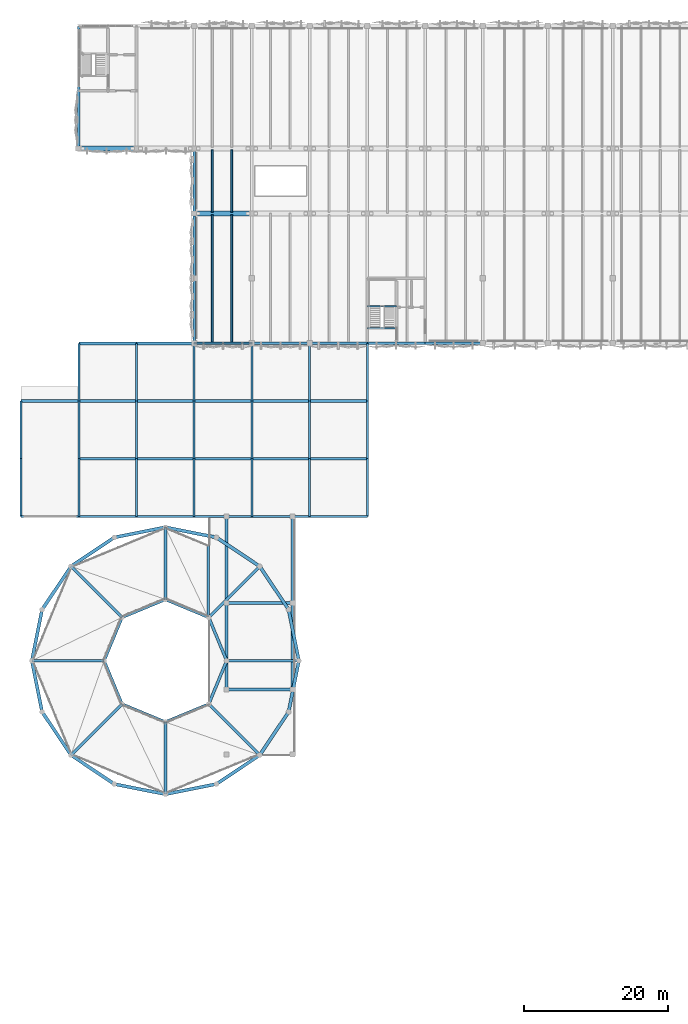
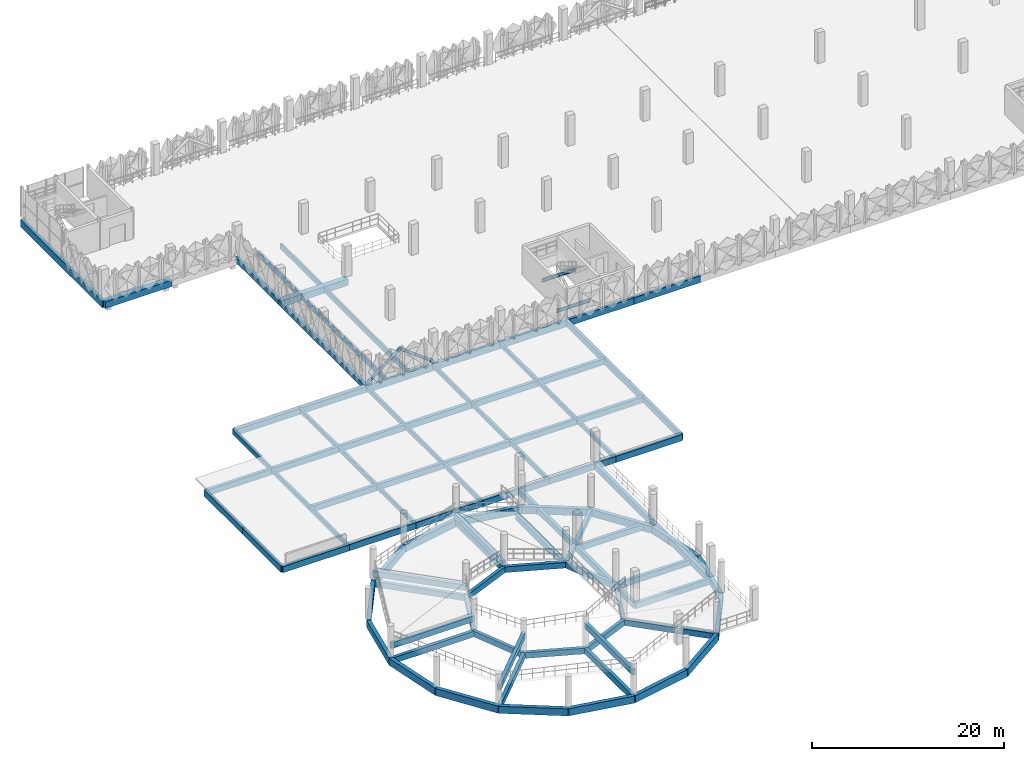
# One storey, part 12 of 76: 99 beams, 2 members.
"""IFC4 building model written with IfcOpenShell, lengths in metres."""

from ifc_helpers import new_model, si_unit, derived_unit, direction, frame, origin, origin_2d, place, context, subcontext, project, spatial, rectangle, hollow_circle, i_section, extrude, material, material_profile, profile_set, type_object, element, save


model = new_model("IFC4")

# Units and contexts
model_context = context("Model", 3, precision=1e-05, world=origin(), true_north=direction((0.0, 1.0)))
body_context = subcontext(model_context, "Body", "Model", "MODEL_VIEW")
ifc_project = project(units=[si_unit("LENGTHUNIT", "METRE"), si_unit("AREAUNIT", "SQUARE_METRE"), si_unit("VOLUMEUNIT", "CUBIC_METRE"), si_unit("PLANEANGLEUNIT", "RADIAN"), si_unit("MASSUNIT", "GRAM", prefix="KILO"), si_unit("THERMODYNAMICTEMPERATUREUNIT", "KELVIN"), derived_unit("THERMALTRANSMITTANCEUNIT", [(si_unit("POWERUNIT", "WATT"), 1), (si_unit("AREAUNIT", "SQUARE_METRE"), -1), (si_unit("THERMODYNAMICTEMPERATUREUNIT", "KELVIN"), -1)])], contexts=[model_context])

# Site, building, storey
site_placement = place(None, origin())
site = spatial("IfcSite", under=ifc_project, at=site_placement, CompositionType="ELEMENT")
building_placement = place(site_placement, origin())
building = spatial("IfcBuilding", under=site, at=building_placement, Name="Haiyu Intermodal Mobility Hub", CompositionType="ELEMENT")
storey_placement = place(building_placement, frame((0.0, 0.0, 17.300048828125)))
storey = spatial("IfcBuildingStorey", under=building, at=storey_placement, Name="L04", CompositionType="ELEMENT", Elevation=17.300048828125)

# Beams
ifc_material_1 = material(Name="Concrete C40", Category="concrete")
ifc_material_profile_1 = material_profile(ifc_material_1, rectangle(XDim=0.39990234375, YDim=0.75, at=origin_2d()), Name="RCB400x750")
ifc_profile_set_1 = profile_set([ifc_material_profile_1], Name="Concrete C40")
beam_type_1 = type_object("IfcBeamType", Name="BM-CB03", PredefinedType="BEAM", material=ifc_profile_set_1)
for number, where, z_axis, x_axis, name in (
    (1, (22.0, 88.0, -0.64013671875), (1.0, 0.0, 0.0), (0.0, 1.0, 0.0), "BM-V4WG-L04-008"),
    (2, (30.0, 88.0, -0.64013671875), (1.0, 0.0, 0.0), (0.0, 1.0, 0.0), "BM-V4WG-L04-009"),
    (3, (38.0, 88.0, -0.64013671875), (1.0, 0.0, 0.0), (0.0, 1.0, 0.0), "BM-V4WG-L04-010"),
    (4, (46.0, 88.0, -0.64013671875), (1.0, 0.0, 0.0), (0.0, 1.0, 0.0), "BM-V4WG-L04-011"),
    (5, (54.0, 88.0, -0.64013671875), (1.0, 0.0, 0.0), (0.0, 1.0, 0.0), "BM-V4WG-L04-012"),
    (6, (14.0, 96.0, -0.64013671875), (1.0, 0.0, 0.0), (0.0, 1.0, 0.0), "BM-V4WG-L04-013"),
    (7, (22.0, 96.0, -0.64013671875), (1.0, 0.0, 0.0), (0.0, 1.0, 0.0), "BM-V4WG-L04-014"),
    (8, (30.0, 96.0, -0.64013671875), (1.0, 0.0, 0.0), (0.0, 1.0, 0.0), "BM-V4WG-L04-015"),
    (9, (38.0, 96.0, -0.64013671875), (1.0, 0.0, 0.0), (0.0, 1.0, 0.0), "BM-V4WG-L04-016"),
    (10, (46.0, 96.0, -0.64013671875), (1.0, 0.0, 0.0), (0.0, 1.0, 0.0), "BM-V4WG-L04-017"),
    (11, (54.0, 96.0, -0.64013671875), (1.0, 0.0, 0.0), (0.0, 1.0, 0.0), "BM-V4WG-L04-018"),
    (12, (22.0, 104.0, -0.64013671875), (1.0, 0.0, 0.0), (0.0, 1.0, 0.0), "BM-V4WG-L04-019"),
    (13, (30.0, 104.0, -0.64013671875), (1.0, 0.0, 0.0), (0.0, 1.0, 0.0), "BM-V4WG-L04-020"),
):
    element("IfcBeam", number, at=place(storey_placement, frame(where, z_axis=z_axis, x_axis=x_axis)), inside=storey, type_object=beam_type_1, Name=name, PredefinedType="BEAM", context=body_context, shape_type="SweptSolid", body=[
        extrude(rectangle(XDim=0.39990234375, YDim=0.75, at=origin_2d()), origin(), (0.0, 0.0, 1.0), 8.0),
    ])
for number, where, z_axis, x_axis, name in (
    (14, (42.5, 56.0, -0.655029296875), (1.0, 0.0, 0.0), (0.0, 1.0, 0.0), "BM-RMPL-L04-033"),
    (15, (42.5, 68.0, -0.655029296875), (1.0, 0.0, 0.0), (0.0, 1.0, 0.0), "BM-RMPL-L04-034"),
):
    element("IfcBeam", number, at=place(storey_placement, frame(where, z_axis=z_axis, x_axis=x_axis)), inside=storey, type_object=beam_type_1, Name=name, PredefinedType="BEAM", context=body_context, shape_type="SweptSolid", body=[
        extrude(rectangle(XDim=0.39990234375, YDim=0.75, at=origin_2d()), origin(), (0.0, 0.0, 1.0), 9.10009765625),
    ])
for number, where, z_axis, x_axis, name in (
    (16, (51.60009765625, 56.0, -0.655029296875), (0.0, 1.0, 0.0), (-1.0, 0.0, 0.0), "BM-RMPLE-L04-036"),
    (17, (42.5, 56.0, -0.655029296875), (0.0, 1.0, 0.0), (-1.0, 0.0, 0.0), "BM-RMPLW-L04-037"),
    (18, (51.60009765625, 68.0, -0.655029296875), (0.0, 1.0, 0.0), (-1.0, 0.0, 0.0), "BM-RMPLE-L04-038"),
    (19, (42.5, 68.0, -0.655029296875), (0.0, 1.0, 0.0), (-1.0, 0.0, 0.0), "BM-RMPLW-L04-039"),
):
    element("IfcBeam", number, at=place(storey_placement, frame(where, z_axis=z_axis, x_axis=x_axis)), inside=storey, type_object=beam_type_1, Name=name, PredefinedType="BEAM", context=body_context, shape_type="SweptSolid", body=[
        extrude(rectangle(XDim=0.39990234375, YDim=0.75, at=origin_2d()), origin(), (0.0, 0.0, 1.0), 12.0),
    ])
ifc_material_profile_2 = material_profile(ifc_material_1, rectangle(XDim=0.35009765625, YDim=0.64990234375, at=origin_2d()), Name="RCB350x650")
ifc_profile_set_2 = profile_set([ifc_material_profile_2], Name="Concrete C40")
beam_type_2 = type_object("IfcBeamType", Name="BM-CB04", PredefinedType="BEAM", material=ifc_profile_set_2)
beam_1_placement = place(storey_placement, frame((38.0, 104.0, -0.60009765625), z_axis=(0.0, 1.0, 0.0), x_axis=(-1.0, 0.0, 0.0)))
element("IfcBeam", 20, at=beam_1_placement, inside=storey, type_object=beam_type_2, Name="BM-V4E-L04-003", PredefinedType="BEAM", context=body_context, shape_type="SweptSolid", body=[
    extrude(rectangle(XDim=0.35009765625, YDim=0.64990234375, at=origin_2d()), origin(), (0.0, 0.0, 1.0), 18.0),
])
beam_2_placement = place(storey_placement, frame((38.0, 122.0, -0.60009765625), z_axis=(0.0, 1.0, 0.0), x_axis=(-1.0, 0.0, 0.0)))
element("IfcBeam", 21, at=beam_2_placement, inside=storey, type_object=beam_type_2, Name="BM-V4E-L04-004", PredefinedType="BEAM", context=body_context, shape_type="SweptSolid", body=[
    extrude(rectangle(XDim=0.35009765625, YDim=0.64990234375, at=origin_2d()), origin(), (0.0, 0.0, 1.0), 9.0),
])
ifc_material_profile_3 = material_profile(ifc_material_1, rectangle(XDim=0.280029296875, YDim=0.5400390625, at=origin_2d()), Name="RCB280x540")
ifc_profile_set_3 = profile_set([ifc_material_profile_3], Name="Concrete C40")
beam_type_3 = type_object("IfcBeamType", Name="BM-CB08", PredefinedType="JOIST", material=ifc_profile_set_3)
for number, where, z_axis, x_axis, name in (
    (22, (22.0, 80.0, -0.53515625), (0.0, 1.0, 0.0), (-1.0, 0.0, 0.0), "BM-V4WJ-L04-003"),
    (23, (22.0, 88.0, -0.53515625), (0.0, 1.0, 0.0), (-1.0, 0.0, 0.0), "BM-V4WJ-L04-004"),
    (24, (22.0, 96.0, -0.53515625), (0.0, 1.0, 0.0), (-1.0, 0.0, 0.0), "BM-V4WJ-L04-005"),
    (25, (30.0, 80.0, -0.53515625), (0.0, 1.0, 0.0), (-1.0, 0.0, 0.0), "BM-V4WJ-L04-006"),
    (26, (30.0, 88.0, -0.53515625), (0.0, 1.0, 0.0), (-1.0, 0.0, 0.0), "BM-V4WJ-L04-007"),
    (27, (30.0, 96.0, -0.53515625), (0.0, 1.0, 0.0), (-1.0, 0.0, 0.0), "BM-V4WJ-L04-008"),
    (28, (38.0, 80.0, -0.53515625), (0.0, 1.0, 0.0), (-1.0, 0.0, 0.0), "BM-V4WJ-L04-009"),
    (29, (38.0, 88.0, -0.53515625), (0.0, 1.0, 0.0), (-1.0, 0.0, 0.0), "BM-V4WJ-L04-010"),
    (30, (38.0, 96.0, -0.53515625), (0.0, 1.0, 0.0), (-1.0, 0.0, 0.0), "BM-V4WJ-L04-011"),
    (31, (46.0, 80.0, -0.53515625), (0.0, 1.0, 0.0), (-1.0, 0.0, 0.0), "BM-V4WJ-L04-012"),
    (32, (46.0, 88.0, -0.53515625), (0.0, 1.0, 0.0), (-1.0, 0.0, 0.0), "BM-V4WJ-L04-013"),
    (33, (46.0, 96.0, -0.53515625), (0.0, 1.0, 0.0), (-1.0, 0.0, 0.0), "BM-V4WJ-L04-014"),
    (34, (54.0, 80.0, -0.53515625), (0.0, 1.0, 0.0), (-1.0, 0.0, 0.0), "BM-V4WJ-L04-015"),
    (35, (54.0, 88.0, -0.53515625), (0.0, 1.0, 0.0), (-1.0, 0.0, 0.0), "BM-V4WJ-L04-016"),
    (36, (54.0, 96.0, -0.53515625), (0.0, 1.0, 0.0), (-1.0, 0.0, 0.0), "BM-V4WJ-L04-017"),
):
    element("IfcBeam", number, at=place(storey_placement, frame(where, z_axis=z_axis, x_axis=x_axis)), inside=storey, type_object=beam_type_3, Name=name, PredefinedType="JOIST", context=body_context, shape_type="SweptSolid", body=[
        extrude(rectangle(XDim=0.280029296875, YDim=0.5400390625, at=origin_2d()), origin(), (0.0, 0.0, 1.0), 8.0),
    ])
ifc_material_profile_4 = material_profile(ifc_material_1, rectangle(XDim=0.449951171875, YDim=0.89990234375, at=origin_2d()), Name="RCB450x900")
ifc_profile_set_4 = profile_set([ifc_material_profile_4], Name="Concrete C40")
beam_type_4 = type_object("IfcBeamType", Name="BM-CB10", PredefinedType="BEAM", material=ifc_profile_set_4)
beam_3_placement = place(storey_placement, frame((52.5, 60.0, -0.72998046875), z_axis=(-0.195042866972, 0.980794718605, 0.0), x_axis=(-0.980794718605, -0.195042866972, 0.0)))
element("IfcBeam", 37, at=beam_3_placement, inside=storey, type_object=beam_type_4, Name="BM-RMP-O-L04-001", PredefinedType="BEAM", context=body_context, shape_type="SweptSolid", body=[
    extrude(rectangle(XDim=0.449951171875, YDim=0.89990234375, at=origin_2d()), origin(), (0.0, 0.0, 1.0), 7.21875),
])
for number, where, z_axis, x_axis, name in (
    (38, (51.092041015625, 67.080078125, -0.72998046875), (-0.555691099877, 0.831388838942, 0.0), (-0.831388838942, -0.555691099877, 0.0), "BM-RMP-O-L04-002"),
    (39, (47.0810546875, 73.0810546875, -0.72998046875), (-0.831388838942, 0.555691099877, 0.0), (-0.555691099877, -0.831388838942, 0.0), "BM-RMP-O-L04-003"),
):
    element("IfcBeam", number, at=place(storey_placement, frame(where, z_axis=z_axis, x_axis=x_axis)), inside=storey, type_object=beam_type_4, Name=name, PredefinedType="BEAM", context=body_context, shape_type="SweptSolid", body=[
        extrude(rectangle(XDim=0.449951171875, YDim=0.89990234375, at=origin_2d()), origin(), (0.0, 0.0, 1.0), 7.218017578125),
    ])
for number, where, z_axis, x_axis, name in (
    (40, (41.080078125, 77.092041015625, -0.72998046875), (-0.980794718605, 0.195042866972, 0.0), (-0.195042866972, -0.980794718605, 0.0), "BM-RMP-O-L04-004"),
    (41, (34.0, 78.5, -0.72998046875), (-0.980794718605, -0.195042866972, 0.0), (0.195042866972, -0.980794718605, 0.0), "BM-RMP-O-L04-005"),
):
    element("IfcBeam", number, at=place(storey_placement, frame(where, z_axis=z_axis, x_axis=x_axis)), inside=storey, type_object=beam_type_4, Name=name, PredefinedType="BEAM", context=body_context, shape_type="SweptSolid", body=[
        extrude(rectangle(XDim=0.449951171875, YDim=0.89990234375, at=origin_2d()), origin(), (0.0, 0.0, 1.0), 7.21875),
    ])
for number, where, z_axis, x_axis, name in (
    (42, (26.919921875, 77.092041015625, -0.72998046875), (-0.831388838942, -0.555691099877, 0.0), (0.555691099877, -0.831388838942, 0.0), "BM-RMP-O-L04-006"),
    (43, (20.9189453125, 73.0810546875, -0.72998046875), (-0.555691099877, -0.831388838942, 0.0), (0.831388838942, -0.555691099877, 0.0), "BM-RMP-O-L04-007"),
):
    element("IfcBeam", number, at=place(storey_placement, frame(where, z_axis=z_axis, x_axis=x_axis)), inside=storey, type_object=beam_type_4, Name=name, PredefinedType="BEAM", context=body_context, shape_type="SweptSolid", body=[
        extrude(rectangle(XDim=0.449951171875, YDim=0.89990234375, at=origin_2d()), origin(), (0.0, 0.0, 1.0), 7.218017578125),
    ])
for number, where, z_axis, x_axis, name in (
    (44, (16.907958984375, 67.080078125, -0.72998046875), (-0.195042866972, -0.980794718605, 0.0), (0.980794718605, -0.195042866972, 0.0), "BM-RMP-O-L04-008"),
    (45, (15.5, 60.0, -0.72998046875), (0.195042866972, -0.980794718605, 0.0), (0.980794718605, 0.195042866972, 0.0), "BM-RMP-O-L04-009"),
):
    element("IfcBeam", number, at=place(storey_placement, frame(where, z_axis=z_axis, x_axis=x_axis)), inside=storey, type_object=beam_type_4, Name=name, PredefinedType="BEAM", context=body_context, shape_type="SweptSolid", body=[
        extrude(rectangle(XDim=0.449951171875, YDim=0.89990234375, at=origin_2d()), origin(), (0.0, 0.0, 1.0), 7.21875),
    ])
for number, where, z_axis, x_axis, name in (
    (46, (16.907958984375, 52.919921875, -0.72998046875), (0.555691099877, -0.831388838942, 0.0), (0.831388838942, 0.555691099877, 0.0), "BM-RMP-O-L04-010"),
    (47, (20.9189453125, 46.9189453125, -0.72998046875), (0.831388838942, -0.555691099877, 0.0), (0.555691099877, 0.831388838942, 0.0), "BM-RMP-O-L04-011"),
):
    element("IfcBeam", number, at=place(storey_placement, frame(where, z_axis=z_axis, x_axis=x_axis)), inside=storey, type_object=beam_type_4, Name=name, PredefinedType="BEAM", context=body_context, shape_type="SweptSolid", body=[
        extrude(rectangle(XDim=0.449951171875, YDim=0.89990234375, at=origin_2d()), origin(), (0.0, 0.0, 1.0), 7.218017578125),
    ])
for number, where, z_axis, x_axis, name in (
    (48, (26.919921875, 42.907958984375, -0.72998046875), (0.980794718605, -0.195042866972, 0.0), (0.195042866972, 0.980794718605, 0.0), "BM-RMP-O-L04-012"),
    (49, (34.0, 41.5, -0.72998046875), (0.980794718605, 0.195042866972, 0.0), (-0.195042866972, 0.980794718605, 0.0), "BM-RMP-O-L04-013"),
):
    element("IfcBeam", number, at=place(storey_placement, frame(where, z_axis=z_axis, x_axis=x_axis)), inside=storey, type_object=beam_type_4, Name=name, PredefinedType="BEAM", context=body_context, shape_type="SweptSolid", body=[
        extrude(rectangle(XDim=0.449951171875, YDim=0.89990234375, at=origin_2d()), origin(), (0.0, 0.0, 1.0), 7.21875),
    ])
for number, where, z_axis, x_axis, name in (
    (50, (41.080078125, 42.907958984375, -0.72998046875), (0.831388838942, 0.555691099877, 0.0), (-0.555691099877, 0.831388838942, 0.0), "BM-RMP-O-L04-014"),
    (51, (47.0810546875, 46.9189453125, -0.72998046875), (0.555691099877, 0.831388838942, 0.0), (-0.831388838942, 0.555691099877, 0.0), "BM-RMP-O-L04-015"),
):
    element("IfcBeam", number, at=place(storey_placement, frame(where, z_axis=z_axis, x_axis=x_axis)), inside=storey, type_object=beam_type_4, Name=name, PredefinedType="BEAM", context=body_context, shape_type="SweptSolid", body=[
        extrude(rectangle(XDim=0.449951171875, YDim=0.89990234375, at=origin_2d()), origin(), (0.0, 0.0, 1.0), 7.218017578125),
    ])
beam_4_placement = place(storey_placement, frame((51.092041015625, 52.919921875, -0.72998046875), z_axis=(0.195042866972, 0.980794718605, 0.0), x_axis=(-0.980794718605, 0.195042866972, 0.0)))
element("IfcBeam", 52, at=beam_4_placement, inside=storey, type_object=beam_type_4, Name="BM-RMP-O-L04-016", PredefinedType="BEAM", context=body_context, shape_type="SweptSolid", body=[
    extrude(rectangle(XDim=0.449951171875, YDim=0.89990234375, at=origin_2d()), origin(), (0.0, 0.0, 1.0), 7.21875),
])
ifc_material_profile_5 = material_profile(ifc_material_1, rectangle(XDim=0.39990234375, YDim=0.719970703125, at=origin_2d()), Name="RCB400x720")
ifc_profile_set_5 = profile_set([ifc_material_profile_5], Name="Concrete C40")
beam_type_5 = type_object("IfcBeamType", Name="BM-CB11", PredefinedType="BEAM", material=ifc_profile_set_5)
beam_5_placement = place(storey_placement, frame((42.5, 60.0, -0.64013671875), z_axis=(-0.382757258538, 0.923848949253, 0.0), x_axis=(-0.923848949253, -0.382757258538, 0.0)))
element("IfcBeam", 53, at=beam_5_placement, inside=storey, type_object=beam_type_5, Name="BM-RMP-I-L04-017", PredefinedType="BEAM", context=body_context, shape_type="SweptSolid", body=[
    extrude(rectangle(XDim=0.39990234375, YDim=0.719970703125, at=origin_2d()), origin(), (0.0, 0.0, 1.0), 6.50537109375),
])
beam_6_placement = place(storey_placement, frame((42.5, 60.0, -0.64013671875), z_axis=(1.0, 0.0, 0.0), x_axis=(0.0, 1.0, 0.0)))
element("IfcBeam", 54, at=beam_6_placement, inside=storey, type_object=beam_type_5, Name="BM-RMP-R-L04-018", PredefinedType="BEAM", context=body_context, shape_type="SweptSolid", body=[
    extrude(rectangle(XDim=0.39990234375, YDim=0.719970703125, at=origin_2d()), origin(), (0.0, 0.0, 1.0), 10.0),
])
beam_7_placement = place(storey_placement, frame((40.010009765625, 66.010009765625, -0.64013671875), z_axis=(-0.923848949253, 0.382757258538, 0.0), x_axis=(-0.382757258538, -0.923848949253, 0.0)))
element("IfcBeam", 55, at=beam_7_placement, inside=storey, type_object=beam_type_5, Name="BM-RMP-I-L04-019", PredefinedType="BEAM", context=body_context, shape_type="SweptSolid", body=[
    extrude(rectangle(XDim=0.39990234375, YDim=0.719970703125, at=origin_2d()), origin(), (0.0, 0.0, 1.0), 6.50537109375),
])
beam_8_placement = place(storey_placement, frame((40.010009765625, 66.010009765625, -0.64013671875), z_axis=(0.707106781187, 0.707106781187, 0.0), x_axis=(-0.707106781187, 0.707106781187, 0.0)))
element("IfcBeam", 56, at=beam_8_placement, inside=storey, type_object=beam_type_5, Name="BM-RMP-R-L04-020", PredefinedType="BEAM", context=body_context, shape_type="SweptSolid", body=[
    extrude(rectangle(XDim=0.39990234375, YDim=0.719970703125, at=origin_2d()), origin(), (0.0, 0.0, 1.0), 10.0),
])
beam_9_placement = place(storey_placement, frame((34.0, 68.5, -0.64013671875), z_axis=(-0.923848949253, -0.382757258538, 0.0), x_axis=(0.382757258538, -0.923848949253, 0.0)))
element("IfcBeam", 57, at=beam_9_placement, inside=storey, type_object=beam_type_5, Name="BM-RMP-I-L04-021", PredefinedType="BEAM", context=body_context, shape_type="SweptSolid", body=[
    extrude(rectangle(XDim=0.39990234375, YDim=0.719970703125, at=origin_2d()), origin(), (0.0, 0.0, 1.0), 6.50537109375),
])
beam_10_placement = place(storey_placement, frame((34.0, 68.5, -0.64013671875), z_axis=(0.0, 1.0, 0.0), x_axis=(-1.0, 0.0, 0.0)))
element("IfcBeam", 58, at=beam_10_placement, inside=storey, type_object=beam_type_5, Name="BM-RMP-R-L04-022", PredefinedType="BEAM", context=body_context, shape_type="SweptSolid", body=[
    extrude(rectangle(XDim=0.39990234375, YDim=0.719970703125, at=origin_2d()), origin(), (0.0, 0.0, 1.0), 10.0),
])
beam_11_placement = place(storey_placement, frame((27.989990234375, 66.010009765625, -0.64013671875), z_axis=(-0.382757258538, -0.923848949253, 0.0), x_axis=(0.923848949253, -0.382757258538, 0.0)))
element("IfcBeam", 59, at=beam_11_placement, inside=storey, type_object=beam_type_5, Name="BM-RMP-I-L04-023", PredefinedType="BEAM", context=body_context, shape_type="SweptSolid", body=[
    extrude(rectangle(XDim=0.39990234375, YDim=0.719970703125, at=origin_2d()), origin(), (0.0, 0.0, 1.0), 6.50537109375),
])
beam_12_placement = place(storey_placement, frame((27.989990234375, 66.010009765625, -0.64013671875), z_axis=(-0.707106781187, 0.707106781187, 0.0), x_axis=(-0.707106781187, -0.707106781187, 0.0)))
element("IfcBeam", 60, at=beam_12_placement, inside=storey, type_object=beam_type_5, Name="BM-RMP-R-L04-024", PredefinedType="BEAM", context=body_context, shape_type="SweptSolid", body=[
    extrude(rectangle(XDim=0.39990234375, YDim=0.719970703125, at=origin_2d()), origin(), (0.0, 0.0, 1.0), 10.0),
])
beam_13_placement = place(storey_placement, frame((25.5, 60.0, -0.64013671875), z_axis=(0.382757258538, -0.923848949253, 0.0), x_axis=(0.923848949253, 0.382757258538, 0.0)))
element("IfcBeam", 61, at=beam_13_placement, inside=storey, type_object=beam_type_5, Name="BM-RMP-I-L04-025", PredefinedType="BEAM", context=body_context, shape_type="SweptSolid", body=[
    extrude(rectangle(XDim=0.39990234375, YDim=0.719970703125, at=origin_2d()), origin(), (0.0, 0.0, 1.0), 6.50537109375),
])
beam_14_placement = place(storey_placement, frame((25.5, 60.0, -0.64013671875), z_axis=(-1.0, 0.0, 0.0), x_axis=(0.0, -1.0, 0.0)))
element("IfcBeam", 62, at=beam_14_placement, inside=storey, type_object=beam_type_5, Name="BM-RMP-R-L04-026", PredefinedType="BEAM", context=body_context, shape_type="SweptSolid", body=[
    extrude(rectangle(XDim=0.39990234375, YDim=0.719970703125, at=origin_2d()), origin(), (0.0, 0.0, 1.0), 10.0),
])
beam_15_placement = place(storey_placement, frame((27.989990234375, 53.989990234375, -0.64013671875), z_axis=(0.923848949253, -0.382757258538, 0.0), x_axis=(0.382757258538, 0.923848949253, 0.0)))
element("IfcBeam", 63, at=beam_15_placement, inside=storey, type_object=beam_type_5, Name="BM-RMP-I-L04-027", PredefinedType="BEAM", context=body_context, shape_type="SweptSolid", body=[
    extrude(rectangle(XDim=0.39990234375, YDim=0.719970703125, at=origin_2d()), origin(), (0.0, 0.0, 1.0), 6.50537109375),
])
beam_16_placement = place(storey_placement, frame((27.989990234375, 53.989990234375, -0.64013671875), z_axis=(-0.707106781187, -0.707106781187, 0.0), x_axis=(0.707106781187, -0.707106781187, 0.0)))
element("IfcBeam", 64, at=beam_16_placement, inside=storey, type_object=beam_type_5, Name="BM-RMP-R-L04-028", PredefinedType="BEAM", context=body_context, shape_type="SweptSolid", body=[
    extrude(rectangle(XDim=0.39990234375, YDim=0.719970703125, at=origin_2d()), origin(), (0.0, 0.0, 1.0), 10.0),
])
beam_17_placement = place(storey_placement, frame((34.0, 51.5, -0.64013671875), z_axis=(0.923848949253, 0.382757258538, 0.0), x_axis=(-0.382757258538, 0.923848949253, 0.0)))
element("IfcBeam", 65, at=beam_17_placement, inside=storey, type_object=beam_type_5, Name="BM-RMP-I-L04-029", PredefinedType="BEAM", context=body_context, shape_type="SweptSolid", body=[
    extrude(rectangle(XDim=0.39990234375, YDim=0.719970703125, at=origin_2d()), origin(), (0.0, 0.0, 1.0), 6.50537109375),
])
beam_18_placement = place(storey_placement, frame((34.0, 51.5, -0.64013671875), z_axis=(0.0, -1.0, 0.0), x_axis=(1.0, 0.0, 0.0)))
element("IfcBeam", 66, at=beam_18_placement, inside=storey, type_object=beam_type_5, Name="BM-RMP-R-L04-030", PredefinedType="BEAM", context=body_context, shape_type="SweptSolid", body=[
    extrude(rectangle(XDim=0.39990234375, YDim=0.719970703125, at=origin_2d()), origin(), (0.0, 0.0, 1.0), 10.0),
])
beam_19_placement = place(storey_placement, frame((40.010009765625, 53.989990234375, -0.64013671875), z_axis=(0.382757258538, 0.923848949253, 0.0), x_axis=(-0.923848949253, 0.382757258538, 0.0)))
element("IfcBeam", 67, at=beam_19_placement, inside=storey, type_object=beam_type_5, Name="BM-RMP-I-L04-031", PredefinedType="BEAM", context=body_context, shape_type="SweptSolid", body=[
    extrude(rectangle(XDim=0.39990234375, YDim=0.719970703125, at=origin_2d()), origin(), (0.0, 0.0, 1.0), 6.50537109375),
])
beam_20_placement = place(storey_placement, frame((40.010009765625, 53.989990234375, -0.64013671875), z_axis=(0.707106781187, -0.707106781187, 0.0), x_axis=(0.707106781187, 0.707106781187, 0.0)))
element("IfcBeam", 68, at=beam_20_placement, inside=storey, type_object=beam_type_5, Name="BM-RMP-R-L04-032", PredefinedType="BEAM", context=body_context, shape_type="SweptSolid", body=[
    extrude(rectangle(XDim=0.39990234375, YDim=0.719970703125, at=origin_2d()), origin(), (0.0, 0.0, 1.0), 10.0),
])
beam_21_placement = place(storey_placement, frame((39.93994140625, 66.0, -0.64501953125), z_axis=(0.0, 1.0, 0.0), x_axis=(-1.0, 0.0, 0.0)))
element("IfcBeam", 69, at=beam_21_placement, inside=storey, type_object=beam_type_5, Name="BM-RMPM-L04-00", PredefinedType="BEAM", context=body_context, shape_type="SweptSolid", body=[
    extrude(rectangle(XDim=0.39990234375, YDim=0.719970703125, at=origin_2d()), origin(), (0.0, 0.0, 1.0), 10.10009765625),
])
for number, where, z_axis, x_axis, name in (
    (70, (34.0, 68.5, 0.0048828125), (0.0, 1.0, 0.0), (-1.0, 0.0, 0.0), "BM-RMPM-L04-01"),
    (71, (27.989990234375, 66.010009765625, 0.655029296875), (-0.707106781187, 0.707106781187, 0.0), (-0.707106781187, -0.707106781187, 0.0), "BM-RMPM-L04-02"),
    (72, (25.5, 60.0, 1.304931640625), (-1.0, 0.0, 0.0), (0.0, -1.0, 0.0), "BM-RMPM-L04-03"),
    (73, (27.989990234375, 53.989990234375, 1.954833984375), (-0.707106781187, -0.707106781187, 0.0), (0.707106781187, -0.707106781187, 0.0), "BM-RMPM-L04-04"),
    (74, (34.0, 51.5, 2.60498046875), (0.0, -1.0, 0.0), (1.0, 0.0, 0.0), "BM-RMPM-L04-05"),
):
    element("IfcBeam", number, at=place(storey_placement, frame(where, z_axis=z_axis, x_axis=x_axis)), inside=storey, type_object=beam_type_5, Name=name, PredefinedType="BEAM", context=body_context, shape_type="SweptSolid", body=[
        extrude(rectangle(XDim=0.39990234375, YDim=0.719970703125, at=origin_2d()), origin(), (0.0, 0.0, 1.0), 10.0),
    ])
ifc_material_2 = material(Name="Precast concrete C50", Category="concrete")
ifc_material_profile_6 = material_profile(ifc_material_2, rectangle(XDim=0.219970703125, YDim=0.719970703125, at=origin_2d()), Name="PC220x720")
ifc_profile_set_6 = profile_set([ifc_material_profile_6], Name="Precast concrete C50")
beam_type_6 = type_object("IfcBeamType", Name="BM-DT02", PredefinedType="JOIST", material=ifc_profile_set_6)
for number, where, z_axis, x_axis, name in (
    (75, (40.5, 104.0, -0.635009765625), (0.0, 1.0, 0.0), (-1.0, 0.0, 0.0), "BM-DT-L04-001"),
    (76, (43.199951171875, 104.0, -0.635009765625), (0.0, 1.0, 0.0), (-1.0, 0.0, 0.0), "BM-DT-L04-004"),
):
    element("IfcBeam", number, at=place(storey_placement, frame(where, z_axis=z_axis, x_axis=x_axis)), inside=storey, type_object=beam_type_6, Name=name, PredefinedType="JOIST", context=body_context, shape_type="SweptSolid", body=[
        extrude(rectangle(XDim=0.219970703125, YDim=0.719970703125, at=origin_2d()), origin(), (0.0, 0.0, 1.0), 17.804931640625),
    ])
ifc_material_profile_7 = material_profile(ifc_material_2, rectangle(XDim=0.22998046875, YDim=0.68994140625, at=origin_2d()), Name="B230x690")
ifc_profile_set_7 = profile_set([ifc_material_profile_7], Name="Precast concrete C50")
beam_type_7 = type_object("IfcBeamType", Name="BM-DT06", PredefinedType="JOIST", material=ifc_profile_set_7)
for number, where, z_axis, x_axis, name in (
    (77, (40.5, 122.195068359375, -0.6201171875), (0.0, 1.0, 0.0), (-1.0, 0.0, 0.0), "BM-DT-L04-002"),
    (78, (43.199951171875, 122.195068359375, -0.6201171875), (0.0, 1.0, 0.0), (-1.0, 0.0, 0.0), "BM-DT-L04-005"),
):
    element("IfcBeam", number, at=place(storey_placement, frame(where, z_axis=z_axis, x_axis=x_axis)), inside=storey, type_object=beam_type_7, Name=name, PredefinedType="JOIST", context=body_context, shape_type="SweptSolid", body=[
        extrude(rectangle(XDim=0.22998046875, YDim=0.68994140625, at=origin_2d()), origin(), (0.0, 0.0, 1.0), 8.60986328125),
    ])
ifc_material_profile_8 = material_profile(ifc_material_2, rectangle(XDim=0.679931640625, YDim=0.820068359375, at=origin_2d()), Name="B680x820")
ifc_profile_set_8 = profile_set([ifc_material_profile_8], Name="Precast concrete C50")
beam_type_8 = type_object("IfcBeamType", Name="BM-IT05", PredefinedType="T_BEAM", material=ifc_profile_set_8)
for number, where, z_axis, x_axis, name in (
    (79, (38.0, 122.0, -0.68505859375), (1.0, 0.0, 0.0), (0.0, 1.0, 0.0), "BM-V4G-L04-013"),
    (80, (22.0, 131.0, -0.68505859375), (1.0, 0.0, 0.0), (0.0, 1.0, 0.0), "BM-V4G-L04-025"),
):
    element("IfcBeam", number, at=place(storey_placement, frame(where, z_axis=z_axis, x_axis=x_axis)), inside=storey, type_object=beam_type_8, Name=name, PredefinedType="T_BEAM", context=body_context, shape_type="SweptSolid", body=[
        extrude(rectangle(XDim=0.679931640625, YDim=0.820068359375, at=origin_2d()), origin(), (0.0, 0.0, 1.0), 8.0),
    ])
ifc_material_3 = material(Name="Steel Q355C", Category="steel")
ifc_material_profile_9 = material_profile(ifc_material_3, i_section(OverallWidth=0.199951171875, OverallDepth=0.39990234375, WebThickness=0.008056640625, FlangeThickness=0.012939453125, FilletRadius=0.01611328125, at=origin_2d()), Name="HN400x200x8x13")
ifc_profile_set_9 = profile_set([ifc_material_profile_9], Name="Steel Q355C")
beam_type_9 = type_object("IfcBeamType", Name="BM-SB08", PredefinedType="JOIST", material=ifc_profile_set_9)
for number, where, z_axis, x_axis, name in (
    (81, (62.0, 106.10009765625, -0.525146484375), (1.0, 0.0, 0.0), (0.0, 1.0, 0.0), "Stair Arrival Trimmer Beam C5-L03"),
    (82, (62.0, 109.1298828125, 1.52490234375), (1.0, 0.0, 0.0), (0.0, 1.0, 0.0), "Stair Half-Landing Front Beam C5-L04"),
):
    element("IfcBeam", number, at=place(storey_placement, frame(where, z_axis=z_axis, x_axis=x_axis)), inside=storey, type_object=beam_type_9, Name=name, PredefinedType="JOIST", context=body_context, shape_type="SweptSolid", body=[
        extrude(i_section(OverallWidth=0.199951171875, OverallDepth=0.39990234375, WebThickness=0.008056640625, FlangeThickness=0.012939453125, FilletRadius=0.01611328125, at=origin_2d()), origin(), (0.0, 0.0, 1.0), 4.050048828125),
    ])
ifc_material_4 = material(Name="Precast concrete C40", Category="concrete")
ifc_material_profile_10 = material_profile(ifc_material_4, rectangle(XDim=0.320068359375, YDim=0.85009765625, at=origin_2d()), Name="PC320x850")
ifc_profile_set_10 = profile_set([ifc_material_profile_10], Name="Precast concrete C40")
beam_type_10 = type_object("IfcBeamType", Name="BM-SP02", PredefinedType="SPANDREL", material=ifc_profile_set_10)
for number, where, z_axis, x_axis, name in (
    (83, (38.0, 104.0, -0.699951171875), (1.0, 0.0, 0.0), (0.0, 1.0, 0.0), "BM-V4G-L04-001"),
    (84, (46.0, 104.0, -0.699951171875), (1.0, 0.0, 0.0), (0.0, 1.0, 0.0), "BM-V4G-L04-002"),
    (85, (54.0, 104.0, -0.699951171875), (1.0, 0.0, 0.0), (0.0, 1.0, 0.0), "BM-V4G-L04-003"),
    (86, (62.0, 104.0, -0.699951171875), (1.0, 0.0, 0.0), (0.0, 1.0, 0.0), "BM-V4G-L04-004"),
    (87, (70.0, 104.0, -0.699951171875), (1.0, 0.0, 0.0), (0.0, 1.0, 0.0), "BM-V4G-L04-005"),
):
    element("IfcBeam", number, at=place(storey_placement, frame(where, z_axis=z_axis, x_axis=x_axis)), inside=storey, type_object=beam_type_10, Name=name, PredefinedType="SPANDREL", context=body_context, shape_type="SweptSolid", body=[
        extrude(rectangle(XDim=0.320068359375, YDim=0.85009765625, at=origin_2d()), origin(), (0.0, 0.0, 1.0), 8.0),
    ])
ifc_material_profile_11 = material_profile(ifc_material_4, rectangle(XDim=0.300048828125, YDim=0.780029296875, at=origin_2d()), Name="PC300x780")
ifc_profile_set_11 = profile_set([ifc_material_profile_11], Name="Precast concrete C40")
beam_type_11 = type_object("IfcBeamType", Name="BM-SP03", PredefinedType="SPANDREL", material=ifc_profile_set_11)
for number, where, z_axis, x_axis, name in (
    (88, (14.0, 80.0, -0.655029296875), (1.0, 0.0, 0.0), (0.0, 1.0, 0.0), "BM-V4WG-L04-001"),
    (89, (22.0, 80.0, -0.655029296875), (1.0, 0.0, 0.0), (0.0, 1.0, 0.0), "BM-V4WG-L04-002"),
    (90, (30.0, 80.0, -0.655029296875), (1.0, 0.0, 0.0), (0.0, 1.0, 0.0), "BM-V4WG-L04-003"),
    (91, (38.0, 80.0, -0.655029296875), (1.0, 0.0, 0.0), (0.0, 1.0, 0.0), "BM-V4WG-L04-004"),
    (92, (46.0, 80.0, -0.655029296875), (1.0, 0.0, 0.0), (0.0, 1.0, 0.0), "BM-V4WG-L04-005"),
    (93, (54.0, 80.0, -0.655029296875), (1.0, 0.0, 0.0), (0.0, 1.0, 0.0), "BM-V4WG-L04-006"),
    (94, (14.0, 80.0, -0.655029296875), (0.0, 1.0, 0.0), (-1.0, 0.0, 0.0), "BM-V4WJ-L04-001"),
    (95, (14.0, 88.0, -0.655029296875), (0.0, 1.0, 0.0), (-1.0, 0.0, 0.0), "BM-V4WJ-L04-002"),
    (96, (62.0, 80.0, -0.655029296875), (0.0, 1.0, 0.0), (-1.0, 0.0, 0.0), "BM-V4WJ-L04-018"),
    (97, (62.0, 88.0, -0.655029296875), (0.0, 1.0, 0.0), (-1.0, 0.0, 0.0), "BM-V4WJ-L04-019"),
    (98, (62.0, 96.0, -0.655029296875), (0.0, 1.0, 0.0), (-1.0, 0.0, 0.0), "BM-V4WJ-L04-020"),
):
    element("IfcBeam", number, at=place(storey_placement, frame(where, z_axis=z_axis, x_axis=x_axis)), inside=storey, type_object=beam_type_11, Name=name, PredefinedType="SPANDREL", context=body_context, shape_type="SweptSolid", body=[
        extrude(rectangle(XDim=0.300048828125, YDim=0.780029296875, at=origin_2d()), origin(), (0.0, 0.0, 1.0), 8.0),
    ])
ifc_material_profile_12 = material_profile(ifc_material_4, rectangle(XDim=0.340087890625, YDim=0.89990234375, at=origin_2d()), Name="B340x900")
ifc_profile_set_12 = profile_set([ifc_material_profile_12], Name="Precast concrete C40")
beam_type_12 = type_object("IfcBeamType", Name="BM-SP04", PredefinedType="SPANDREL", material=ifc_profile_set_12)
beam_22_placement = place(storey_placement, frame((22.0, 131.0, -0.72509765625), z_axis=(0.0, 1.0, 0.0), x_axis=(-1.0, 0.0, 0.0)))
element("IfcBeam", 99, at=beam_22_placement, inside=storey, type_object=beam_type_12, Name="BM-V4E-L04-001", PredefinedType="SPANDREL", context=body_context, shape_type="SweptSolid", body=[
    extrude(rectangle(XDim=0.340087890625, YDim=0.89990234375, at=origin_2d()), origin(), (0.0, 0.0, 1.0), 17.0),
])

# Members
ifc_material_profile_13 = material_profile(ifc_material_3, hollow_circle(Radius=0.177978515625, WallThickness=0.011962890625, at=origin_2d()), Name="CHS356x12")
ifc_profile_set_13 = profile_set([ifc_material_profile_13], Name="Steel Q355C")
member_type = type_object("IfcMemberType", Name="MEM-BR01", PredefinedType="BRACE", material=ifc_profile_set_13)
for number, where, z_axis, x_axis, name in (
    (100, (38.0, 104.0, 0.0), (0.8, 0.0, 0.6), (0.0, 1.0, 0.0), "Seismic Chevron Brace B4-L04-A"),
    (101, (46.0, 104.0, 0.0), (-0.8, 0.0, 0.6), (0.0, -1.0, 0.0), "Seismic Chevron Brace B4-L04-B"),
):
    element("IfcMember", number, at=place(storey_placement, frame(where, z_axis=z_axis, x_axis=x_axis)), inside=storey, type_object=member_type, Name=name, PredefinedType="BRACE", context=body_context, shape_type="SweptSolid", body=[
        extrude(hollow_circle(Radius=0.177978515625, WallThickness=0.011962890625, at=origin_2d()), origin(), (0.0, 0.0, 1.0), 5.0),
    ])

save(model, "model.ifc")
